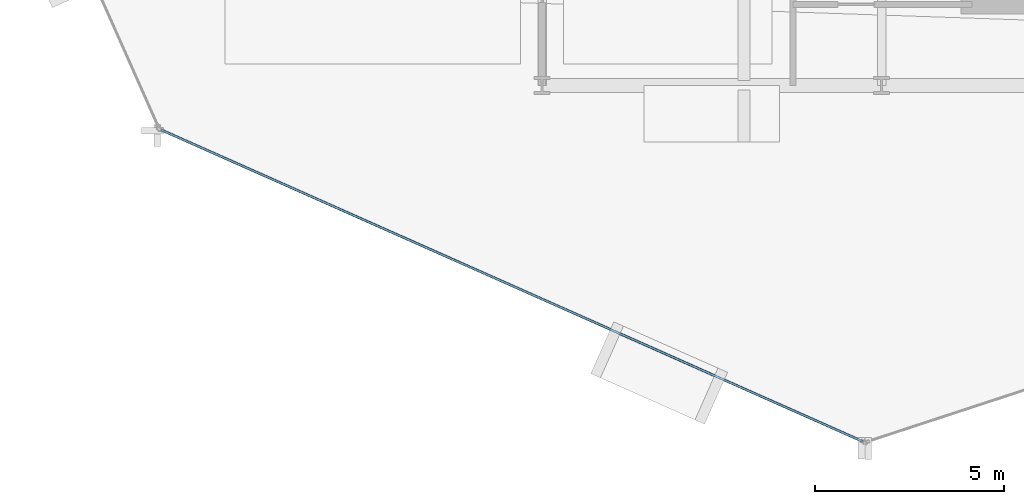
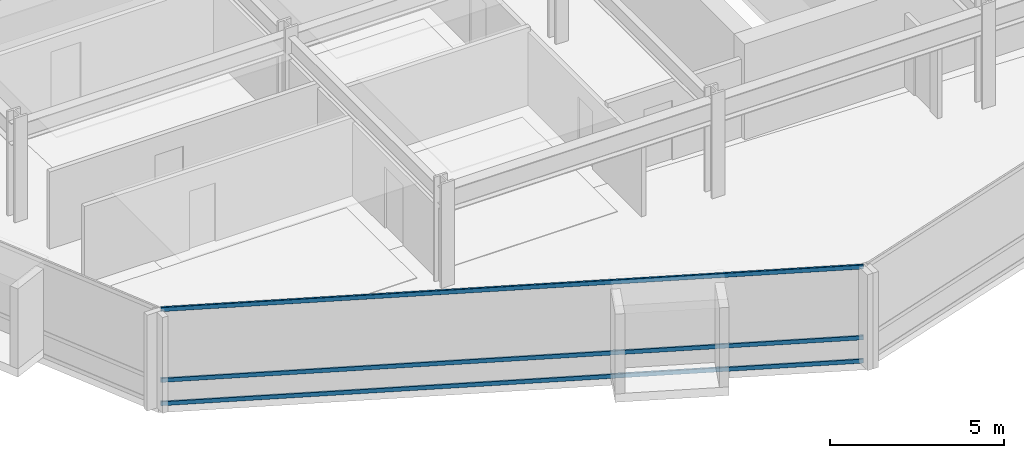
# One storey, part 3 of 35: 3 members, 1 element without a shape of its own.
"""IFC4 building model written with IfcOpenShell, lengths in metres."""

from ifc_helpers import new_model, si_unit, direction, frame, origin, origin_2d, place, context, subcontext, project, spatial, hollow_rectangle, extrude, material, layer, layer_set, material_profile, profile_set, type_object, element, aggregate, save


model = new_model("IFC4")

# Units and contexts
model_context = context("Model", 3, precision=1e-05, world=origin(), true_north=direction((0.0, 1.0)))
body_context = subcontext(model_context, "Body", "Model", "MODEL_VIEW")
ifc_project = project(units=[si_unit("LENGTHUNIT", "METRE"), si_unit("AREAUNIT", "SQUARE_METRE"), si_unit("VOLUMEUNIT", "CUBIC_METRE"), si_unit("PLANEANGLEUNIT", "RADIAN"), si_unit("MASSUNIT", "GRAM", prefix="KILO")], contexts=[model_context])

# Site, building, storey
site_placement = place(None, origin())
site = spatial("IfcSite", under=ifc_project, at=site_placement, CompositionType="ELEMENT")
building_placement = place(site_placement, origin())
building = spatial("IfcBuilding", under=site, at=building_placement, Name="Solvaryn Broadcast Tower", CompositionType="ELEMENT")
storey_placement = place(building_placement, frame((0.0, 0.0, 80.39990234375)))
storey = spatial("IfcBuildingStorey", under=building, at=storey_placement, Name="L19", CompositionType="ELEMENT", Elevation=80.39990234375)

# Curtain wall, members
ifc_material_1 = material(Name="Aluminium and Terracotta Unitised Curtain Wall", Category="masonry")
ifc_layer = layer(ifc_material_1, 0.199951171875)
ifc_layer_set = layer_set([ifc_layer], Name="CW-SYS2-LOWMID")
curtain_wall_type = type_object("IfcCurtainWallType", Name="CW-SYS2-LOWMID", PredefinedType="NOTDEFINED", material=ifc_layer_set)
curtain_wall_placement = place(storey_placement, origin())
curtain_wall = element("IfcCurtainWall", 1, at=curtain_wall_placement, inside=storey, type_object=curtain_wall_type, Name="L19 Curtain Wall DR3", PredefinedType="NOTDEFINED")
ifc_material_2 = material(Name="Anodised Aluminium 6063-T6", Category="aluminium")
ifc_material_profile = material_profile(ifc_material_2, hollow_rectangle(XDim=0.06494140625, YDim=0.14990234375, WallThickness=0.00390625, InnerFilletRadius=0.00390625, OuterFilletRadius=0.008056640625, at=origin_2d()))
ifc_profile_set = profile_set([ifc_material_profile], Name="Anodised Aluminium 6063-T6")
member_type = type_object("IfcMemberType", Name="CW-TRN-150", PredefinedType="USERDEFINED", material=ifc_profile_set)
member_1_placement = place(storey_placement, frame((7.90185546875, 7.82275390625, 0.030029296875), z_axis=(0.913914888191, -0.405905872269, 0.0), x_axis=(0.405905872269, 0.913914888191, 0.0)))
member_1 = element("IfcMember", 2, at=member_1_placement, type_object=member_type, Name="CWS2 transom 1.1", ObjectType="TRANSOM", PredefinedType="USERDEFINED", context=body_context, shape_type="SweptSolid", body=[
    extrude(hollow_rectangle(XDim=0.06494140625, YDim=0.14990234375, WallThickness=0.00390625, InnerFilletRadius=0.00390625, OuterFilletRadius=0.008056640625, at=origin_2d()), origin(), (0.0, 0.0, 1.0), 20.35546875),
])
member_2_placement = place(storey_placement, frame((7.90185546875, 7.82275390625, 0.85009765625), z_axis=(0.913914888191, -0.405905872269, 0.0), x_axis=(0.405905872269, 0.913914888191, 0.0)))
member_2 = element("IfcMember", 3, at=member_2_placement, type_object=member_type, Name="CWS2 transom 1.2", ObjectType="TRANSOM", PredefinedType="USERDEFINED", context=body_context, shape_type="SweptSolid", body=[
    extrude(hollow_rectangle(XDim=0.06494140625, YDim=0.14990234375, WallThickness=0.00390625, InnerFilletRadius=0.00390625, OuterFilletRadius=0.008056640625, at=origin_2d()), origin(), (0.0, 0.0, 1.0), 20.35546875),
])
member_3_placement = place(storey_placement, frame((7.90185546875, 7.82275390625, 3.340087890625), z_axis=(0.913914888191, -0.405905872269, 0.0), x_axis=(0.405905872269, 0.913914888191, 0.0)))
member_3 = element("IfcMember", 4, at=member_3_placement, type_object=member_type, Name="CWS2 transom 1.3", ObjectType="TRANSOM", PredefinedType="USERDEFINED", context=body_context, shape_type="SweptSolid", body=[
    extrude(hollow_rectangle(XDim=0.06494140625, YDim=0.14990234375, WallThickness=0.00390625, InnerFilletRadius=0.00390625, OuterFilletRadius=0.008056640625, at=origin_2d()), origin(), (0.0, 0.0, 1.0), 20.35546875),
])
aggregate(curtain_wall, [member_1, member_2, member_3])

save(model, "model.ifc")
